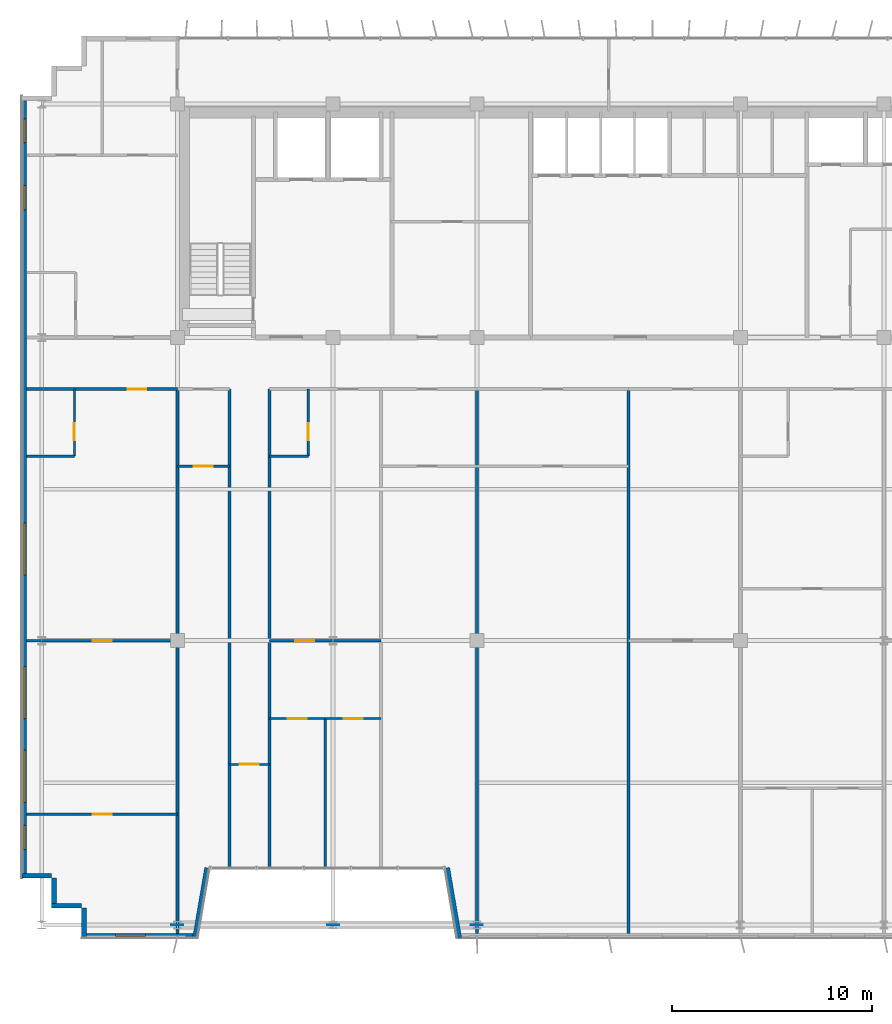
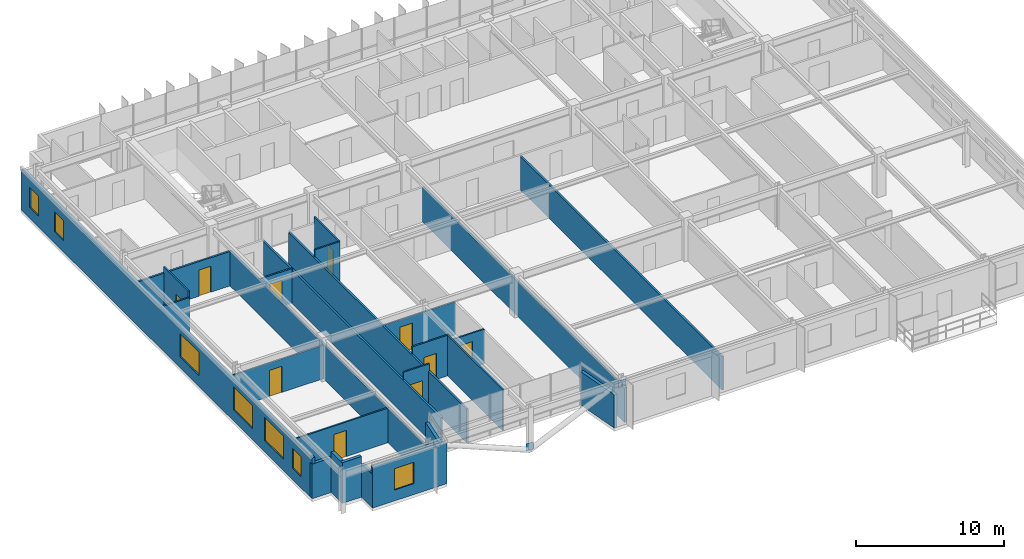
# One storey, part 18 of 24: 26 walls, 10 doors, 7 windows, 3 plates, 17 openings.
"""IFC4 building model written with IfcOpenShell, lengths in metres."""

from ifc_helpers import new_model, si_unit, direction, frame, frame_2d, origin, origin_2d, place, context, subcontext, project, spatial, rectangle, extrude, source, transform, mapped, material, layer, layer_set, type_object, element, fill, save


model = new_model("IFC4")

# Units and contexts
model_context = context("Model", 3, precision=1e-05, world=origin(), true_north=direction((0.0, 1.0)))
body_context = subcontext(model_context, "Body", "Model", "MODEL_VIEW")
ifc_project = project(units=[si_unit("LENGTHUNIT", "METRE"), si_unit("AREAUNIT", "SQUARE_METRE"), si_unit("VOLUMEUNIT", "CUBIC_METRE"), si_unit("PLANEANGLEUNIT", "RADIAN"), si_unit("MASSUNIT", "GRAM", prefix="KILO")], contexts=[model_context])

# Site, building, storey
site_placement = place(None, origin())
site = spatial("IfcSite", under=ifc_project, at=site_placement, CompositionType="ELEMENT")
building_placement = place(site_placement, origin())
building = spatial("IfcBuilding", under=site, at=building_placement, Name="Trelvane Seafront Commons", CompositionType="ELEMENT")
storey_placement = place(building_placement, frame((0.0, 0.0, 175.300048828125)))
storey = spatial("IfcBuildingStorey", under=building, at=storey_placement, Name="L46", CompositionType="ELEMENT", Elevation=175.300048828125)

# Plates
ifc_material_1 = material(Name="Steel SM355 (S355)", Category="steel")
ifc_layer_1 = layer(ifc_material_1, 0.031982421875, Name="STR-PLT-GUS2")
ifc_layer_set_1 = layer_set([ifc_layer_1], Name="Steel SM355 (S355)")
plate_type = type_object("IfcPlateType", Name="STR-PLT-GUS2", PredefinedType="SHEET", material=ifc_layer_set_1)
shared_shape_1 = source(origin(), body_context, "Body", "SweptSolid", [
    extrude(rectangle(XDim=0.60009765625, YDim=0.031982421875, at=origin_2d()), origin(), (0.0, 0.0, 1.0), 0.60009765625),
])
for number, where, z_axis, x_axis, name in (
    (1, (23.39990234375, 3.949951171875, -0.02001953125), (0.0, 0.0, 1.0), (1.0, 0.0, 0.0), "L46 Brace Connection Gusset Plate GP-183"),
    (2, (15.60009765625, 3.949951171875, 2.64990234375), (0.0, 0.0, 1.0), (1.0, 0.0, 0.0), "L46 Brace Connection Gusset Plate GP-184"),
    (3, (30.60009765625, 3.949951171875, 2.64990234375), (0.0, 0.0, 1.0), (1.0, 0.0, 0.0), "L46 Brace Connection Gusset Plate GP-185"),
):
    element("IfcPlate", number, at=place(storey_placement, frame(where, z_axis=z_axis, x_axis=x_axis)), inside=storey, type_object=plate_type, Name=name, PredefinedType="SHEET", context=body_context, shape_type="MappedRepresentation", body=[
        mapped(shared_shape_1, transform((0.0, 0.0, 0.0), x_axis=(1.0, 0.0, 0.0), y_axis=(0.0, 1.0, 0.0), z_axis=(0.0, 0.0, 1.0), scale=1.0)),
    ])

# Walls
ifc_material_2 = material(Name="Precast concrete C40/50", Category="concrete")
ifc_layer_2 = layer(ifc_material_2, 0.239990234375, Name="ARCH-WALL-EXT240")
ifc_layer_set_2 = layer_set([ifc_layer_2], Name="Precast concrete C40/50")
wall_type_1 = type_object("IfcWallType", Name="ARCH-WALL-EXT240", PredefinedType="SOLIDWALL", material=ifc_layer_set_2)
for number, where, z_axis, x_axis, name in (
    (4, (10.800048828125, 4.919921875, 0.0), (0.0, 0.0, 1.0), (-1.0, 0.0, 0.0), "EW-L46-00911"),
    (5, (9.419921875, 4.800048828125, 0.0), (0.0, 0.0, 1.0), (0.0, 1.0, 0.0), "EW-L46-00912"),
):
    element("IfcWall", number, at=place(storey_placement, frame(where, z_axis=z_axis, x_axis=x_axis)), inside=storey, type_object=wall_type_1, Name=name, PredefinedType="SOLIDWALL", context=body_context, shape_type="SweptSolid", body=[
        extrude(rectangle(XDim=1.5, YDim=0.239990234375, at=frame_2d((0.75, 0.0))), origin(), (0.0, 0.0, 1.0), 3.349853515625),
    ])
wall_1_placement = place(storey_placement, frame((9.300048828125, 6.419921875, 0.0), z_axis=(0.0, 0.0, 1.0), x_axis=(-1.0, 0.0, 0.0)))
element("IfcWall", 6, at=wall_1_placement, inside=storey, type_object=wall_type_1, Name="EW-L46-00913", PredefinedType="SOLIDWALL", context=body_context, shape_type="SweptSolid", body=[
    extrude(rectangle(XDim=1.5, YDim=0.239990234375, at=frame_2d((0.75, 0.0))), origin(), (0.0, 0.0, 1.0), 2.849853515625),
])

# Wall, openings, windows
wall_2_placement = place(storey_placement, frame((7.919921875, 6.300048828125, 0.0), z_axis=(0.0, 0.0, 1.0), x_axis=(0.0, 1.0, 0.0)))
wall_2 = element("IfcWall", 7, at=wall_2_placement, inside=storey, type_object=wall_type_1, Name="EW-L46-00914", PredefinedType="SOLIDWALL", context=body_context, shape_type="SweptSolid", body=[
    extrude(rectangle(XDim=39.199951171875, YDim=0.239990234375, at=frame_2d((19.60009765625, 0.0))), origin(), (0.0, 0.0, 1.0), 3.349853515625),
])
opening_1_placement = place(wall_2_placement, frame((1.449951171875, 0.0, 0.919921875)))
opening_1 = element("IfcOpeningElement", 8, at=opening_1_placement, cuts=wall_2, Name="Opening W05", PredefinedType="OPENING", context=body_context, shape_type="SweptSolid", body=[
    extrude(rectangle(XDim=1.199951171875, YDim=1.64990234375, at=frame_2d((0.60009765625, 0.824951171875))), frame((0.0, 0.1298828125, 0.0), z_axis=(0.0, -1.0, 0.0), x_axis=(1.0, 0.0, 0.0)), (0.0, 0.0, 1.0), 0.260009765625),
])
opening_2_placement = place(wall_2_placement, frame((3.800048828125, 0.0, 0.919921875)))
opening_2 = element("IfcOpeningElement", 9, at=opening_2_placement, cuts=wall_2, Name="Opening W04", PredefinedType="OPENING", context=body_context, shape_type="SweptSolid", body=[
    extrude(rectangle(XDim=2.60009765625, YDim=1.89990234375, at=frame_2d((1.300048828125, 0.949951171875))), frame((0.0, 0.1298828125, 0.0), z_axis=(0.0, -1.0, 0.0), x_axis=(1.0, 0.0, 0.0)), (0.0, 0.0, 1.0), 0.260009765625),
])
opening_3_placement = place(wall_2_placement, frame((8.0, 0.0, 0.919921875)))
opening_3 = element("IfcOpeningElement", 10, at=opening_3_placement, cuts=wall_2, Name="Opening W04", PredefinedType="OPENING", context=body_context, shape_type="SweptSolid", body=[
    extrude(rectangle(XDim=2.60009765625, YDim=1.89990234375, at=frame_2d((1.300048828125, 0.949951171875))), frame((0.0, 0.1298828125, 0.0), z_axis=(0.0, -1.0, 0.0), x_axis=(1.0, 0.0, 0.0)), (0.0, 0.0, 1.0), 0.260009765625),
])
opening_4_placement = place(wall_2_placement, frame((15.199951171875, 0.0, 0.919921875)))
opening_4 = element("IfcOpeningElement", 11, at=opening_4_placement, cuts=wall_2, Name="Opening W04", PredefinedType="OPENING", context=body_context, shape_type="SweptSolid", body=[
    extrude(rectangle(XDim=2.60009765625, YDim=1.89990234375, at=frame_2d((1.300048828125, 0.949951171875))), frame((0.0, 0.1298828125, 0.0), z_axis=(0.0, -1.0, 0.0), x_axis=(1.0, 0.0, 0.0)), (0.0, 0.0, 1.0), 0.260009765625),
])
opening_5_placement = place(wall_2_placement, frame((33.5, 0.0, 0.919921875)))
opening_5 = element("IfcOpeningElement", 12, at=opening_5_placement, cuts=wall_2, Name="Opening W05", PredefinedType="OPENING", context=body_context, shape_type="SweptSolid", body=[
    extrude(rectangle(XDim=1.199951171875, YDim=1.64990234375, at=frame_2d((0.60009765625, 0.824951171875))), frame((0.0, 0.1298828125, 0.0), z_axis=(0.0, -1.0, 0.0), x_axis=(1.0, 0.0, 0.0)), (0.0, 0.0, 1.0), 0.260009765625),
])
opening_6_placement = place(wall_2_placement, frame((36.85009765625, 0.0, 0.919921875)))
opening_6 = element("IfcOpeningElement", 13, at=opening_6_placement, cuts=wall_2, Name="Opening W05", PredefinedType="OPENING", context=body_context, shape_type="SweptSolid", body=[
    extrude(rectangle(XDim=1.199951171875, YDim=1.64990234375, at=frame_2d((0.60009765625, 0.824951171875))), frame((0.0, 0.1298828125, 0.0), z_axis=(0.0, -1.0, 0.0), x_axis=(1.0, 0.0, 0.0)), (0.0, 0.0, 1.0), 0.260009765625),
])
ifc_material_3 = material(Name="Low-E coastal double glazing", Category="glass")
window_type_1 = type_object("IfcWindowType", Name="ARCH-WIN-W04", PartitioningType="SINGLE_PANEL", PredefinedType="WINDOW", material=ifc_material_3)
shared_shape_2 = source(origin(), body_context, "Body", "SweptSolid", [
    extrude(rectangle(XDim=2.60009765625, YDim=1.89990234375, at=frame_2d((1.300048828125, 0.949951171875))), frame((0.0, 0.030029296875, 0.0), z_axis=(0.0, -1.0, 0.0), x_axis=(1.0, 0.0, 0.0)), (0.0, 0.0, 1.0), 0.06005859375),
])
window_1_placement = place(opening_2_placement, origin())
window_1 = element("IfcWindow", 14, at=window_1_placement, inside=storey, type_object=window_type_1, Name="WIN-L46-EW-01093", OverallHeight=1.89990234375, OverallWidth=2.60009765625, PartitioningType="SINGLE_PANEL", PredefinedType="WINDOW", context=body_context, shape_type="MappedRepresentation", body=[
    mapped(shared_shape_2, transform((0.0, 0.0, 0.0), x_axis=(1.0, 0.0, 0.0), y_axis=(0.0, 1.0, 0.0), z_axis=(0.0, 0.0, 1.0), scale=1.0)),
])
fill(opening_2, window_1)
window_2_placement = place(opening_3_placement, origin())
window_2 = element("IfcWindow", 15, at=window_2_placement, inside=storey, type_object=window_type_1, Name="WIN-L46-EW-01094", OverallHeight=1.89990234375, OverallWidth=2.60009765625, PartitioningType="SINGLE_PANEL", PredefinedType="WINDOW", context=body_context, shape_type="MappedRepresentation", body=[
    mapped(shared_shape_2, transform((0.0, 0.0, 0.0), x_axis=(1.0, 0.0, 0.0), y_axis=(0.0, 1.0, 0.0), z_axis=(0.0, 0.0, 1.0), scale=1.0)),
])
fill(opening_3, window_2)
window_3_placement = place(opening_4_placement, origin())
window_3 = element("IfcWindow", 16, at=window_3_placement, inside=storey, type_object=window_type_1, Name="WIN-L46-EW-01095", OverallHeight=1.89990234375, OverallWidth=2.60009765625, PartitioningType="SINGLE_PANEL", PredefinedType="WINDOW", context=body_context, shape_type="MappedRepresentation", body=[
    mapped(shared_shape_2, transform((0.0, 0.0, 0.0), x_axis=(1.0, 0.0, 0.0), y_axis=(0.0, 1.0, 0.0), z_axis=(0.0, 0.0, 1.0), scale=1.0)),
])
fill(opening_4, window_3)
window_type_2 = type_object("IfcWindowType", Name="ARCH-WIN-W05", PartitioningType="SINGLE_PANEL", PredefinedType="WINDOW", material=ifc_material_3)
shared_shape_3 = source(origin(), body_context, "Body", "SweptSolid", [
    extrude(rectangle(XDim=1.199951171875, YDim=1.64990234375, at=frame_2d((0.60009765625, 0.824951171875))), frame((0.0, 0.030029296875, 0.0), z_axis=(0.0, -1.0, 0.0), x_axis=(1.0, 0.0, 0.0)), (0.0, 0.0, 1.0), 0.06005859375),
])
window_4_placement = place(opening_1_placement, origin())
window_4 = element("IfcWindow", 17, at=window_4_placement, inside=storey, type_object=window_type_2, Name="WIN-L46-EW-01092", OverallHeight=1.64990234375, OverallWidth=1.199951171875, PartitioningType="SINGLE_PANEL", PredefinedType="WINDOW", context=body_context, shape_type="MappedRepresentation", body=[
    mapped(shared_shape_3, transform((0.0, 0.0, 0.0), x_axis=(1.0, 0.0, 0.0), y_axis=(0.0, 1.0, 0.0), z_axis=(0.0, 0.0, 1.0), scale=1.0)),
])
fill(opening_1, window_4)
window_5_placement = place(opening_5_placement, origin())
window_5 = element("IfcWindow", 18, at=window_5_placement, inside=storey, type_object=window_type_2, Name="WIN-L46-EW-01096", OverallHeight=1.64990234375, OverallWidth=1.199951171875, PartitioningType="SINGLE_PANEL", PredefinedType="WINDOW", context=body_context, shape_type="MappedRepresentation", body=[
    mapped(shared_shape_3, transform((0.0, 0.0, 0.0), x_axis=(1.0, 0.0, 0.0), y_axis=(0.0, 1.0, 0.0), z_axis=(0.0, 0.0, 1.0), scale=1.0)),
])
fill(opening_5, window_5)
window_6_placement = place(opening_6_placement, origin())
window_6 = element("IfcWindow", 19, at=window_6_placement, inside=storey, type_object=window_type_2, Name="WIN-L46-EW-01097", OverallHeight=1.64990234375, OverallWidth=1.199951171875, PartitioningType="SINGLE_PANEL", PredefinedType="WINDOW", context=body_context, shape_type="MappedRepresentation", body=[
    mapped(shared_shape_3, transform((0.0, 0.0, 0.0), x_axis=(1.0, 0.0, 0.0), y_axis=(0.0, 1.0, 0.0), z_axis=(0.0, 0.0, 1.0), scale=1.0)),
])
fill(opening_6, window_6)

# Walls
for number, where, z_axis, x_axis, name in (
    (20, (29.71826171875, 3.3203125, 0.0), (0.0, 0.0, 1.0), (-0.168923741424, 0.98562912375, 0.0), "EW-L46-00929"),
    (21, (17.081787109375, 6.8203125, 0.0), (0.0, 0.0, 1.0), (-0.168990530437, -0.98561767467, 0.0), "EW-L46-00930"),
):
    element("IfcWall", number, at=place(storey_placement, frame(where, z_axis=z_axis, x_axis=x_axis)), inside=storey, type_object=wall_type_1, Name=name, PredefinedType="SOLIDWALL", context=body_context, shape_type="SweptSolid", body=[
        extrude(rectangle(XDim=3.551025390625, YDim=0.239990234375, at=frame_2d((1.775390625, 0.0))), origin(), (0.0, 0.0, 1.0), 2.75),
    ])

# Wall, opening, window
wall_3_placement = place(storey_placement, frame((16.60009765625, 3.419921875, 0.0), z_axis=(0.0, 0.0, 1.0), x_axis=(-1.0, 0.0, 0.0)))
wall_3 = element("IfcWall", 22, at=wall_3_placement, inside=storey, type_object=wall_type_1, Name="EW-L46-00931", PredefinedType="SOLIDWALL", context=body_context, shape_type="SweptSolid", body=[
    extrude(rectangle(XDim=5.800048828125, YDim=0.239990234375, at=frame_2d((2.89990234375, 0.0))), origin(), (0.0, 0.0, 1.0), 3.349853515625),
])
opening_7_placement = place(wall_3_placement, frame((2.60498046875, 0.0, 0.89990234375)))
opening_7 = element("IfcOpeningElement", 23, at=opening_7_placement, cuts=wall_3, Name="Opening W03", PredefinedType="OPENING", context=body_context, shape_type="SweptSolid", body=[
    extrude(rectangle(XDim=1.5, YDim=1.75, at=frame_2d((0.75, 0.875))), frame((0.0, 0.1298828125, 0.0), z_axis=(0.0, -1.0, 0.0), x_axis=(1.0, 0.0, 0.0)), (0.0, 0.0, 1.0), 0.260009765625),
])
window_type_3 = type_object("IfcWindowType", Name="ARCH-WIN-W03", PartitioningType="SINGLE_PANEL", PredefinedType="WINDOW", material=ifc_material_3)
shared_shape_4 = source(origin(), body_context, "Body", "SweptSolid", [
    extrude(rectangle(XDim=1.5, YDim=1.75, at=frame_2d((0.75, 0.875))), frame((0.0, 0.030029296875, 0.0), z_axis=(0.0, -1.0, 0.0), x_axis=(1.0, 0.0, 0.0)), (0.0, 0.0, 1.0), 0.06005859375),
])
window_7_placement = place(opening_7_placement, origin())
window_7 = element("IfcWindow", 24, at=window_7_placement, inside=storey, type_object=window_type_3, Name="WIN-L46-01111", OverallHeight=1.75, OverallWidth=1.5, PartitioningType="SINGLE_PANEL", PredefinedType="WINDOW", context=body_context, shape_type="MappedRepresentation", body=[
    mapped(shared_shape_4, transform((0.0, 0.0, 0.0), x_axis=(1.0, 0.0, 0.0), y_axis=(0.0, 1.0, 0.0), z_axis=(0.0, 0.0, 1.0), scale=1.0)),
])
fill(opening_7, window_7)

# Wall
wall_4_placement = place(storey_placement, frame((10.919921875, 3.300048828125, 0.0), z_axis=(0.0, 0.0, 1.0), x_axis=(0.0, 1.0, 0.0)))
element("IfcWall", 25, at=wall_4_placement, inside=storey, type_object=wall_type_1, Name="EW-L46-00932", PredefinedType="SOLIDWALL", context=body_context, shape_type="SweptSolid", body=[
    extrude(rectangle(XDim=1.5, YDim=0.239990234375, at=frame_2d((0.75, 0.0))), origin(), (0.0, 0.0, 1.0), 2.75),
])

# Wall, opening, door
ifc_material_4 = material(Name="Gypsum Drywall Acoustic Partition")
ifc_layer_3 = layer(ifc_material_4, 0.1201171875, Name="ARCH-WALL-PART120")
ifc_layer_set_3 = layer_set([ifc_layer_3], Name="Gypsum Drywall Acoustic Partition")
wall_type_2 = type_object("IfcWallType", Name="ARCH-WALL-PART120", PredefinedType="PARTITIONING", material=ifc_layer_set_3)
wall_5_placement = place(storey_placement, frame((8.0400390625, 18.199951171875, 0.0), z_axis=(0.0, 0.0, 1.0), x_axis=(1.0, 0.0, 0.0)))
wall_5 = element("IfcWall", 26, at=wall_5_placement, inside=storey, type_object=wall_type_2, Name="W-L46-U1-KL-052", PredefinedType="PARTITIONING", context=body_context, shape_type="SweptSolid", body=[
    extrude(rectangle(XDim=7.56005859375, YDim=0.1201171875, at=frame_2d((3.780029296875, 0.0))), origin(), (0.0, 0.0, 1.0), 2.75),
])
opening_8_placement = place(wall_5_placement, frame((3.304931640625, 0.0, 0.0)))
opening_8 = element("IfcOpeningElement", 27, at=opening_8_placement, cuts=wall_5, Name="Opening D-L46-27", PredefinedType="OPENING", context=body_context, shape_type="SweptSolid", body=[
    extrude(rectangle(XDim=0.949951171875, YDim=2.14990234375, at=frame_2d((0.47509765625, 1.074951171875))), frame((0.0, 0.070068359375, 0.0), z_axis=(0.0, -1.0, 0.0), x_axis=(1.0, 0.0, 0.0)), (0.0, 0.0, 1.0), 0.14013671875),
])
ifc_material_5 = material(Name="Acoustic timber door leaf", Category="wood")
door_type_1 = type_object("IfcDoorType", Name="ARCH-DR-INT950", OperationType="NOTDEFINED", PredefinedType="DOOR", material=ifc_material_5)
shared_shape_5 = source(origin(), body_context, "Body", "SweptSolid", [
    extrude(rectangle(XDim=0.949951171875, YDim=2.14990234375, at=frame_2d((0.47509765625, 1.074951171875))), frame((0.0, 0.02490234375, 0.0), z_axis=(0.0, -1.0, 0.0), x_axis=(1.0, 0.0, 0.0)), (0.0, 0.0, 1.0), 0.050048828125),
])
door_1_placement = place(opening_8_placement, origin())
door_1 = element("IfcDoor", 28, at=door_1_placement, inside=storey, type_object=door_type_1, Name="L46 Door 27", OperationType="SINGLE_SWING_LEFT", OverallHeight=2.14990234375, OverallWidth=0.949951171875, PredefinedType="DOOR", context=body_context, shape_type="MappedRepresentation", body=[
    mapped(shared_shape_5, transform((0.0, 0.0, 0.0), x_axis=(1.0, 0.0, 0.0), y_axis=(0.0, 1.0, 0.0), z_axis=(0.0, 0.0, 1.0), scale=1.0)),
])
fill(opening_8, door_1)

wall_6_placement = place(storey_placement, frame((10.43994140625, 27.449951171875, 0.0), z_axis=(0.0, 0.0, 1.0), x_axis=(0.0, 1.0, 0.0)))
wall_6 = element("IfcWall", 29, at=wall_6_placement, inside=storey, type_object=wall_type_2, Name="W-L46-U1-BE-053", PredefinedType="PARTITIONING", context=body_context, shape_type="SweptSolid", body=[
    extrude(rectangle(XDim=3.35009765625, YDim=0.1201171875, at=frame_2d((1.675048828125, 0.0))), origin(), (0.0, 0.0, 1.0), 3.349853515625),
])
opening_9_placement = place(wall_6_placement, frame((0.800048828125, 0.0, 0.0)))
opening_9 = element("IfcOpeningElement", 30, at=opening_9_placement, cuts=wall_6, Name="Opening D-L46-28", PredefinedType="OPENING", context=body_context, shape_type="SweptSolid", body=[
    extrude(rectangle(XDim=0.85009765625, YDim=2.10009765625, at=frame_2d((0.425048828125, 1.050048828125))), frame((0.0, 0.070068359375, 0.0), z_axis=(0.0, -1.0, 0.0), x_axis=(1.0, 0.0, 0.0)), (0.0, 0.0, 1.0), 0.14013671875),
])
door_type_2 = type_object("IfcDoorType", Name="ARCH-DR-INT850", OperationType="NOTDEFINED", PredefinedType="DOOR", material=ifc_material_5)
shared_shape_6 = source(origin(), body_context, "Body", "SweptSolid", [
    extrude(rectangle(XDim=0.85009765625, YDim=2.10009765625, at=frame_2d((0.425048828125, 1.050048828125))), frame((0.0, 0.02490234375, 0.0), z_axis=(0.0, -1.0, 0.0), x_axis=(1.0, 0.0, 0.0)), (0.0, 0.0, 1.0), 0.050048828125),
])
door_2_placement = place(opening_9_placement, origin())
door_2 = element("IfcDoor", 31, at=door_2_placement, inside=storey, type_object=door_type_2, Name="L46 Door 28", OperationType="SINGLE_SWING_RIGHT", OverallHeight=2.10009765625, OverallWidth=0.85009765625, PredefinedType="DOOR", context=body_context, shape_type="MappedRepresentation", body=[
    mapped(shared_shape_6, transform((0.0, 0.0, 0.0), x_axis=(1.0, 0.0, 0.0), y_axis=(0.0, 1.0, 0.0), z_axis=(0.0, 0.0, 1.0), scale=1.0)),
])
fill(opening_9, door_2)

# Wall
wall_7_placement = place(storey_placement, frame((8.0400390625, 27.449951171875, 0.0), z_axis=(0.0, 0.0, 1.0), x_axis=(1.0, 0.0, 0.0)))
element("IfcWall", 32, at=wall_7_placement, inside=storey, type_object=wall_type_2, Name="W-L46-U1-BS-054", PredefinedType="PARTITIONING", context=body_context, shape_type="SweptSolid", body=[
    extrude(rectangle(XDim=2.39990234375, YDim=0.1201171875, at=frame_2d((1.199951171875, 0.0))), origin(), (0.0, 0.0, 1.0), 2.849853515625),
])

# Wall, opening, door
wall_8_placement = place(storey_placement, frame((8.0400390625, 9.5, 0.0), z_axis=(0.0, 0.0, 1.0), x_axis=(1.0, 0.0, 0.0)))
wall_8 = element("IfcWall", 33, at=wall_8_placement, inside=storey, type_object=wall_type_2, Name="W-L46-U1-YM-1-056", PredefinedType="PARTITIONING", context=body_context, shape_type="SweptSolid", body=[
    extrude(rectangle(XDim=7.56005859375, YDim=0.1201171875, at=frame_2d((3.780029296875, 0.0))), origin(), (0.0, 0.0, 1.0), 2.849853515625),
])
opening_10_placement = place(wall_8_placement, frame((3.304931640625, 0.0, 0.0)))
opening_10 = element("IfcOpeningElement", 34, at=opening_10_placement, cuts=wall_8, Name="Opening D-L46-30", PredefinedType="OPENING", context=body_context, shape_type="SweptSolid", body=[
    extrude(rectangle(XDim=0.949951171875, YDim=2.14990234375, at=frame_2d((0.47509765625, 1.074951171875))), frame((0.0, 0.070068359375, 0.0), z_axis=(0.0, -1.0, 0.0), x_axis=(1.0, 0.0, 0.0)), (0.0, 0.0, 1.0), 0.14013671875),
])
door_3_placement = place(opening_10_placement, origin())
door_3 = element("IfcDoor", 35, at=door_3_placement, inside=storey, type_object=door_type_1, Name="L46 Door 30", OperationType="SINGLE_SWING_RIGHT", OverallHeight=2.14990234375, OverallWidth=0.949951171875, PredefinedType="DOOR", context=body_context, shape_type="MappedRepresentation", body=[
    mapped(shared_shape_5, transform((0.0, 0.0, 0.0), x_axis=(1.0, 0.0, 0.0), y_axis=(0.0, 1.0, 0.0), z_axis=(0.0, 0.0, 1.0), scale=1.0)),
])
fill(opening_10, door_3)

wall_9_placement = place(storey_placement, frame((15.60009765625, 26.949951171875, 0.0), z_axis=(0.0, 0.0, 1.0), x_axis=(1.0, 0.0, 0.0)))
wall_9 = element("IfcWall", 36, at=wall_9_placement, inside=storey, type_object=wall_type_2, Name="W-L46-U2-DIV-058", PredefinedType="PARTITIONING", context=body_context, shape_type="SweptSolid", body=[
    extrude(rectangle(XDim=2.599853515625, YDim=0.1201171875, at=frame_2d((1.2998046875, 0.0))), origin(), (0.0, 0.0, 1.0), 2.849853515625),
])
opening_11_placement = place(wall_9_placement, frame((0.824951171875, 0.0, 0.0)))
opening_11 = element("IfcOpeningElement", 37, at=opening_11_placement, cuts=wall_9, Name="Opening D-L46-32", PredefinedType="OPENING", context=body_context, shape_type="SweptSolid", body=[
    extrude(rectangle(XDim=0.949951171875, YDim=2.14990234375, at=frame_2d((0.47509765625, 1.074951171875))), frame((0.0, 0.070068359375, 0.0), z_axis=(0.0, -1.0, 0.0), x_axis=(1.0, 0.0, 0.0)), (0.0, 0.0, 1.0), 0.14013671875),
])
door_4_placement = place(opening_11_placement, origin())
door_4 = element("IfcDoor", 38, at=door_4_placement, inside=storey, type_object=door_type_1, Name="L46 Door 32", OperationType="SINGLE_SWING_RIGHT", OverallHeight=2.14990234375, OverallWidth=0.949951171875, PredefinedType="DOOR", context=body_context, shape_type="MappedRepresentation", body=[
    mapped(shared_shape_5, transform((0.0, 0.0, 0.0), x_axis=(1.0, 0.0, 0.0), y_axis=(0.0, 1.0, 0.0), z_axis=(0.0, 0.0, 1.0), scale=1.0)),
])
fill(opening_11, door_4)

wall_10_placement = place(storey_placement, frame((18.199951171875, 12.0, 0.0), z_axis=(0.0, 0.0, 1.0), x_axis=(1.0, 0.0, 0.0)))
wall_10 = element("IfcWall", 39, at=wall_10_placement, inside=storey, type_object=wall_type_2, Name="W-L46-ARM-END-3-061", PredefinedType="PARTITIONING", context=body_context, shape_type="SweptSolid", body=[
    extrude(rectangle(XDim=2.0, YDim=0.1201171875, at=frame_2d((1.0, 0.0))), origin(), (0.0, 0.0, 1.0), 3.349853515625),
])
opening_12_placement = place(wall_10_placement, frame((0.52001953125, 0.0, 0.0)))
opening_12 = element("IfcOpeningElement", 40, at=opening_12_placement, cuts=wall_10, Name="Opening D-L46-33", PredefinedType="OPENING", context=body_context, shape_type="SweptSolid", body=[
    extrude(rectangle(XDim=0.949951171875, YDim=2.14990234375, at=frame_2d((0.47509765625, 1.074951171875))), frame((0.0, 0.070068359375, 0.0), z_axis=(0.0, -1.0, 0.0), x_axis=(1.0, 0.0, 0.0)), (0.0, 0.0, 1.0), 0.14013671875),
])
door_5_placement = place(opening_12_placement, origin())
door_5 = element("IfcDoor", 41, at=door_5_placement, inside=storey, type_object=door_type_1, Name="L46 Door 33", OperationType="SINGLE_SWING_LEFT", OverallHeight=2.14990234375, OverallWidth=0.949951171875, PredefinedType="DOOR", context=body_context, shape_type="MappedRepresentation", body=[
    mapped(shared_shape_5, transform((0.0, 0.0, 0.0), x_axis=(1.0, 0.0, 0.0), y_axis=(0.0, 1.0, 0.0), z_axis=(0.0, 0.0, 1.0), scale=1.0)),
])
fill(opening_12, door_5)

wall_11_placement = place(storey_placement, frame((20.199951171875, 18.199951171875, 0.0), z_axis=(0.0, 0.0, 1.0), x_axis=(1.0, 0.0, 0.0)))
wall_11 = element("IfcWall", 42, at=wall_11_placement, inside=storey, type_object=wall_type_2, Name="W-L46-U4-KL-062", PredefinedType="PARTITIONING", context=body_context, shape_type="SweptSolid", body=[
    extrude(rectangle(XDim=5.60009765625, YDim=0.1201171875, at=frame_2d((2.800048828125, 0.0))), origin(), (0.0, 0.0, 1.0), 2.75),
])
opening_13_placement = place(wall_11_placement, frame((1.305908203125, 0.0, 0.0)))
opening_13 = element("IfcOpeningElement", 43, at=opening_13_placement, cuts=wall_11, Name="Opening D-L46-34", PredefinedType="OPENING", context=body_context, shape_type="SweptSolid", body=[
    extrude(rectangle(XDim=0.949951171875, YDim=2.14990234375, at=frame_2d((0.47509765625, 1.074951171875))), frame((0.0, 0.070068359375, 0.0), z_axis=(0.0, -1.0, 0.0), x_axis=(1.0, 0.0, 0.0)), (0.0, 0.0, 1.0), 0.14013671875),
])
door_6_placement = place(opening_13_placement, origin())
door_6 = element("IfcDoor", 44, at=door_6_placement, inside=storey, type_object=door_type_1, Name="L46 Door 34", OperationType="SINGLE_SWING_RIGHT", OverallHeight=2.14990234375, OverallWidth=0.949951171875, PredefinedType="DOOR", context=body_context, shape_type="MappedRepresentation", body=[
    mapped(shared_shape_5, transform((0.0, 0.0, 0.0), x_axis=(1.0, 0.0, 0.0), y_axis=(0.0, 1.0, 0.0), z_axis=(0.0, 0.0, 1.0), scale=1.0)),
])
fill(opening_13, door_6)

wall_12_placement = place(storey_placement, frame((22.154052734375, 27.449951171875, 0.0), z_axis=(0.0, 0.0, 1.0), x_axis=(0.0, 1.0, 0.0)))
wall_12 = element("IfcWall", 45, at=wall_12_placement, inside=storey, type_object=wall_type_2, Name="W-L46-U4-BE-063", PredefinedType="PARTITIONING", context=body_context, shape_type="SweptSolid", body=[
    extrude(rectangle(XDim=3.35009765625, YDim=0.1201171875, at=frame_2d((1.675048828125, 0.0))), origin(), (0.0, 0.0, 1.0), 3.349853515625),
])
opening_14_placement = place(wall_12_placement, frame((0.800048828125, 0.0, 0.0)))
opening_14 = element("IfcOpeningElement", 46, at=opening_14_placement, cuts=wall_12, Name="Opening D-L46-35", PredefinedType="OPENING", context=body_context, shape_type="SweptSolid", body=[
    extrude(rectangle(XDim=0.85009765625, YDim=2.10009765625, at=frame_2d((0.425048828125, 1.050048828125))), frame((0.0, 0.070068359375, 0.0), z_axis=(0.0, -1.0, 0.0), x_axis=(1.0, 0.0, 0.0)), (0.0, 0.0, 1.0), 0.14013671875),
])
door_7_placement = place(opening_14_placement, origin())
door_7 = element("IfcDoor", 47, at=door_7_placement, inside=storey, type_object=door_type_2, Name="L46 Door 35", OperationType="SINGLE_SWING_LEFT", OverallHeight=2.10009765625, OverallWidth=0.85009765625, PredefinedType="DOOR", context=body_context, shape_type="MappedRepresentation", body=[
    mapped(shared_shape_6, transform((0.0, 0.0, 0.0), x_axis=(1.0, 0.0, 0.0), y_axis=(0.0, 1.0, 0.0), z_axis=(0.0, 0.0, 1.0), scale=1.0)),
])
fill(opening_14, door_7)

# Wall
wall_13_placement = place(storey_placement, frame((20.199951171875, 27.449951171875, 0.0), z_axis=(0.0, 0.0, 1.0), x_axis=(1.0, 0.0, 0.0)))
element("IfcWall", 48, at=wall_13_placement, inside=storey, type_object=wall_type_2, Name="W-L46-U4-BS-064", PredefinedType="PARTITIONING", context=body_context, shape_type="SweptSolid", body=[
    extrude(rectangle(XDim=1.9541015625, YDim=0.1201171875, at=frame_2d((0.97705078125, 0.0))), origin(), (0.0, 0.0, 1.0), 3.349853515625),
])

# Wall, opening, door
wall_14_placement = place(storey_placement, frame((20.199951171875, 14.300048828125, 0.0), z_axis=(0.0, 0.0, 1.0), x_axis=(1.0, 0.0, 0.0)))
wall_14 = element("IfcWall", 49, at=wall_14_placement, inside=storey, type_object=wall_type_2, Name="W-L46-U4-YM-1-066", PredefinedType="PARTITIONING", context=body_context, shape_type="SweptSolid", body=[
    extrude(rectangle(XDim=2.800048828125, YDim=0.1201171875, at=frame_2d((1.39990234375, 0.0))), origin(), (0.0, 0.0, 1.0), 3.349853515625),
])
opening_15_placement = place(wall_14_placement, frame((0.925048828125, 0.0, 0.0)))
opening_15 = element("IfcOpeningElement", 50, at=opening_15_placement, cuts=wall_14, Name="Opening D-L46-37", PredefinedType="OPENING", context=body_context, shape_type="SweptSolid", body=[
    extrude(rectangle(XDim=0.949951171875, YDim=2.14990234375, at=frame_2d((0.47509765625, 1.074951171875))), frame((0.0, 0.070068359375, 0.0), z_axis=(0.0, -1.0, 0.0), x_axis=(1.0, 0.0, 0.0)), (0.0, 0.0, 1.0), 0.14013671875),
])
door_8_placement = place(opening_15_placement, origin())
door_8 = element("IfcDoor", 51, at=door_8_placement, inside=storey, type_object=door_type_1, Name="L46 Door 37", OperationType="SINGLE_SWING_LEFT", OverallHeight=2.14990234375, OverallWidth=0.949951171875, PredefinedType="DOOR", context=body_context, shape_type="MappedRepresentation", body=[
    mapped(shared_shape_5, transform((0.0, 0.0, 0.0), x_axis=(1.0, 0.0, 0.0), y_axis=(0.0, 1.0, 0.0), z_axis=(0.0, 0.0, 1.0), scale=1.0)),
])
fill(opening_15, door_8)

wall_15_placement = place(storey_placement, frame((23.0, 14.300048828125, 0.0), z_axis=(0.0, 0.0, 1.0), x_axis=(1.0, 0.0, 0.0)))
wall_15 = element("IfcWall", 52, at=wall_15_placement, inside=storey, type_object=wall_type_2, Name="W-L46-U4-YM-2-067", PredefinedType="PARTITIONING", context=body_context, shape_type="SweptSolid", body=[
    extrude(rectangle(XDim=2.800048828125, YDim=0.1201171875, at=frame_2d((1.39990234375, 0.0))), origin(), (0.0, 0.0, 1.0), 2.849853515625),
])
opening_16_placement = place(wall_15_placement, frame((0.925048828125, 0.0, 0.0)))
opening_16 = element("IfcOpeningElement", 53, at=opening_16_placement, cuts=wall_15, Name="Opening D-L46-38", PredefinedType="OPENING", context=body_context, shape_type="SweptSolid", body=[
    extrude(rectangle(XDim=0.949951171875, YDim=2.14990234375, at=frame_2d((0.47509765625, 1.074951171875))), frame((0.0, 0.070068359375, 0.0), z_axis=(0.0, -1.0, 0.0), x_axis=(1.0, 0.0, 0.0)), (0.0, 0.0, 1.0), 0.14013671875),
])
door_9_placement = place(opening_16_placement, origin())
door_9 = element("IfcDoor", 54, at=door_9_placement, inside=storey, type_object=door_type_1, Name="L46 Door 38", OperationType="SINGLE_SWING_RIGHT", OverallHeight=2.14990234375, OverallWidth=0.949951171875, PredefinedType="DOOR", context=body_context, shape_type="MappedRepresentation", body=[
    mapped(shared_shape_5, transform((0.0, 0.0, 0.0), x_axis=(1.0, 0.0, 0.0), y_axis=(0.0, 1.0, 0.0), z_axis=(0.0, 0.0, 1.0), scale=1.0)),
])
fill(opening_16, door_9)

# Walls
wall_16_placement = place(storey_placement, frame((23.0, 6.81005859375, 0.0), z_axis=(0.0, 0.0, 1.0), x_axis=(0.0, 1.0, 0.0)))
element("IfcWall", 55, at=wall_16_placement, inside=storey, type_object=wall_type_2, Name="W-L46-U4-BDV-1-068", PredefinedType="PARTITIONING", context=body_context, shape_type="SweptSolid", body=[
    extrude(rectangle(XDim=7.489990234375, YDim=0.1201171875, at=frame_2d((3.7451171875, 0.0))), origin(), (0.0, 0.0, 1.0), 3.349853515625),
])
ifc_layer_4 = layer(ifc_material_4, 0.14990234375, Name="ARCH-WALL-PART150")
ifc_layer_set_4 = layer_set([ifc_layer_4], Name="Gypsum Drywall Acoustic Partition")
wall_type_3 = type_object("IfcWallType", Name="ARCH-WALL-PART150", PredefinedType="PARTITIONING", material=ifc_layer_set_4)
for number, where, z_axis, x_axis, name in (
    (56, (15.60009765625, 3.52490234375, 0.0), (0.0, 0.0, 1.0), (0.0, 1.0, 0.0), "W-L46-PW-1-046"),
    (57, (30.60009765625, 3.52490234375, 0.0), (0.0, 0.0, 1.0), (0.0, 1.0, 0.0), "W-L46-PW-5-048"),
):
    element("IfcWall", number, at=place(storey_placement, frame(where, z_axis=z_axis, x_axis=x_axis)), inside=storey, type_object=wall_type_3, Name=name, PredefinedType="PARTITIONING", context=body_context, shape_type="SweptSolid", body=[
        extrude(rectangle(XDim=27.275146484375, YDim=0.14990234375, at=frame_2d((13.6376953125, 0.0))), origin(), (0.0, 0.0, 1.0), 2.849853515625),
    ])
wall_17_placement = place(storey_placement, frame((38.199951171875, 3.52490234375, 0.0), z_axis=(0.0, 0.0, 1.0), x_axis=(0.0, 1.0, 0.0)))
element("IfcWall", 58, at=wall_17_placement, inside=storey, type_object=wall_type_3, Name="W-L46-PW-6-049", PredefinedType="PARTITIONING", context=body_context, shape_type="SweptSolid", body=[
    extrude(rectangle(XDim=27.275146484375, YDim=0.14990234375, at=frame_2d((13.6376953125, 0.0))), origin(), (0.0, 0.0, 1.0), 2.75),
])

# Wall, opening, door
wall_18_placement = place(storey_placement, frame((8.02490234375, 30.800048828125, 0.0), z_axis=(0.0, 0.0, 1.0), x_axis=(1.0, 0.0, 0.0)))
wall_18 = element("IfcWall", 59, at=wall_18_placement, inside=storey, type_object=wall_type_3, Name="W-L46-CS-BAY-1-055", PredefinedType="PARTITIONING", context=body_context, shape_type="SweptSolid", body=[
    extrude(rectangle(XDim=7.5751953125, YDim=0.14990234375, at=frame_2d((3.78759765625, 0.0))), origin(), (0.0, 0.0, 1.0), 2.849853515625),
])
opening_17_placement = place(wall_18_placement, frame((5.072998046875, 0.0, 0.0)))
opening_17 = element("IfcOpeningElement", 60, at=opening_17_placement, cuts=wall_18, Name="Opening FD-L46-29", PredefinedType="OPENING", context=body_context, shape_type="SweptSolid", body=[
    extrude(rectangle(XDim=0.949951171875, YDim=2.14990234375, at=frame_2d((0.47509765625, 1.074951171875))), frame((0.0, 0.0849609375, 0.0), z_axis=(0.0, -1.0, 0.0), x_axis=(1.0, 0.0, 0.0)), (0.0, 0.0, 1.0), 0.169921875),
])
ifc_material_6 = material(Name="Powder-coated aluminium frame", Category="aluminium")
door_type_3 = type_object("IfcDoorType", Name="ARCH-DR-FD60-950", OperationType="NOTDEFINED", PredefinedType="DOOR", material=ifc_material_6)
door_10_placement = place(opening_17_placement, origin())
door_10 = element("IfcDoor", 61, at=door_10_placement, inside=storey, type_object=door_type_3, Name="L46 Unit 01 Entrance Door", OperationType="SINGLE_SWING_LEFT", OverallHeight=2.14990234375, OverallWidth=0.949951171875, PredefinedType="DOOR", context=body_context, shape_type="MappedRepresentation", body=[
    mapped(shared_shape_5, transform((0.0, 0.0, 0.0), x_axis=(1.0, 0.0, 0.0), y_axis=(0.0, 1.0, 0.0), z_axis=(0.0, 0.0, 1.0), scale=1.0)),
])
fill(opening_17, door_10)

# Walls
for number, where, z_axis, x_axis, name in (
    (62, (18.199951171875, 6.81005859375, 0.0), (0.0, 0.0, 1.0), (0.0, 1.0, 0.0), "W-L46-ARM-W-3-059"),
    (63, (20.199951171875, 6.81005859375, 0.0), (0.0, 0.0, 1.0), (0.0, 1.0, 0.0), "W-L46-ARM-E-3-060"),
):
    element("IfcWall", number, at=place(storey_placement, frame(where, z_axis=z_axis, x_axis=x_axis)), inside=storey, type_object=wall_type_3, Name=name, PredefinedType="PARTITIONING", context=body_context, shape_type="SweptSolid", body=[
        extrude(rectangle(XDim=23.989990234375, YDim=0.14990234375, at=frame_2d((11.9951171875, 0.0))), origin(), (0.0, 0.0, 1.0), 2.75),
    ])

save(model, "model.ifc")
